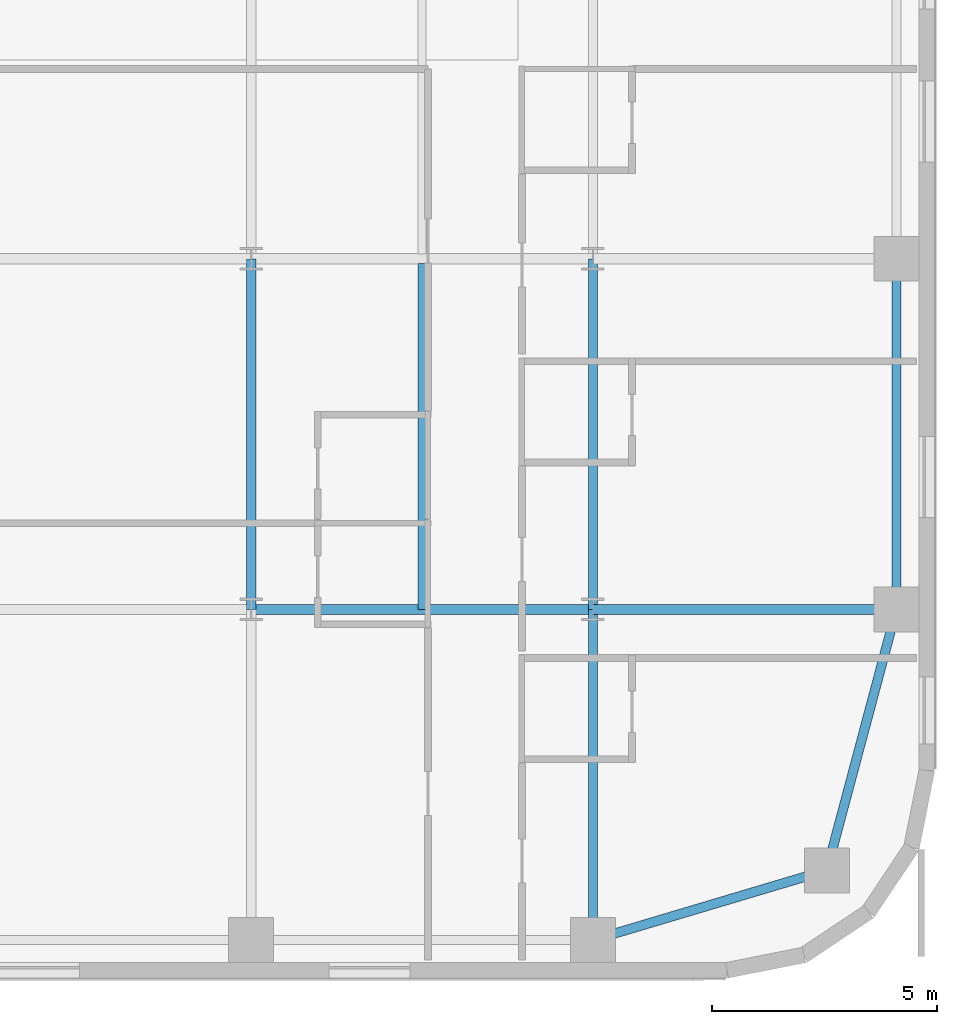
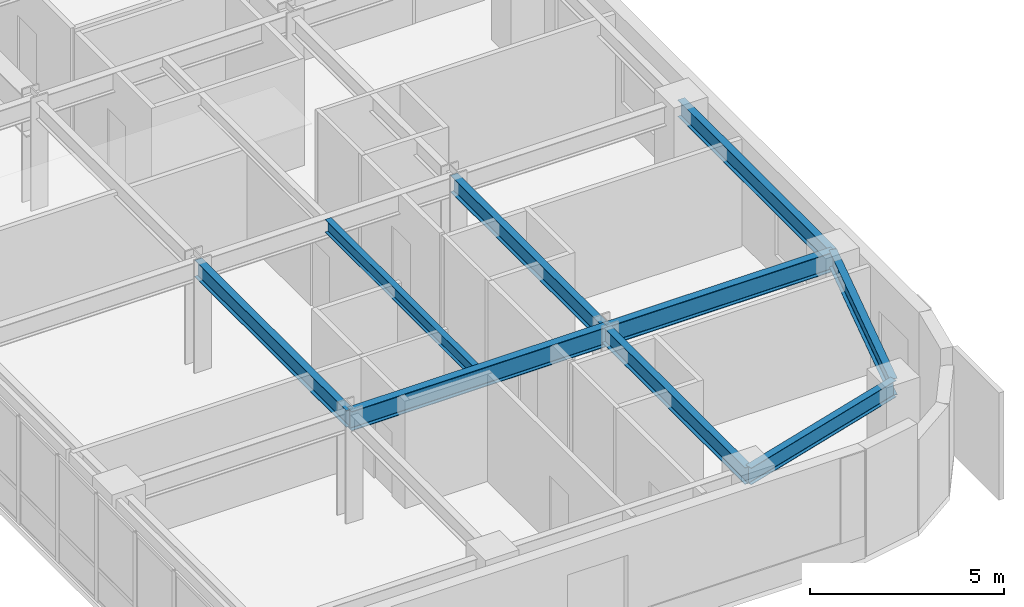
# One storey, part 10 of 25: 9 beams.
"""IFC4 building model written with IfcOpenShell, lengths in metres."""

from ifc_helpers import new_model, si_unit, direction, frame, origin, origin_2d, place, context, subcontext, project, spatial, i_section, extrude, source, transform, mapped, material, material_profile, profile_set, type_object, type_shapes, element, save


model = new_model("IFC4")

# Units and contexts
model_context = context("Model", 3, precision=1e-05, world=origin(), true_north=direction((0.0, 1.0)))
body_context = subcontext(model_context, "Body", "Model", "MODEL_VIEW")
ifc_project = project(units=[si_unit("LENGTHUNIT", "METRE"), si_unit("AREAUNIT", "SQUARE_METRE"), si_unit("VOLUMEUNIT", "CUBIC_METRE"), si_unit("PLANEANGLEUNIT", "RADIAN"), si_unit("MASSUNIT", "GRAM", prefix="KILO")], contexts=[model_context])

# Site, building, storey
site_placement = place(None, origin())
site = spatial("IfcSite", under=ifc_project, at=site_placement, CompositionType="ELEMENT")
building_placement = place(site_placement, origin())
building = spatial("IfcBuilding", under=site, at=building_placement, Name="Tolvann Quenvar Hotel", CompositionType="ELEMENT")
storey_placement = place(building_placement, frame((0.0, 0.0, 60.39990234375)))
storey = spatial("IfcBuildingStorey", under=building, at=storey_placement, Name="L14", CompositionType="ELEMENT", Elevation=60.39990234375)

# Beams
ifc_material = material(Name="Steel Grade 350", Category="steel")
ifc_material_profile_1 = material_profile(ifc_material, i_section(OverallWidth=0.208984375, OverallDepth=0.528076171875, WebThickness=0.009521484375, FlangeThickness=0.01318359375, FilletRadius=0.013916015625, at=origin_2d()), Name="530UB82")
ifc_profile_set_1 = profile_set([ifc_material_profile_1], Name="Steel Grade 350")
beam_type_1 = type_object("IfcBeamType", Name="BM_SPAND_530UB82", PredefinedType="SPANDREL", material=ifc_profile_set_1)
shared_shape_1 = source(origin(), body_context, "Body", "SweptSolid", [
    extrude(i_section(OverallWidth=0.208984375, OverallDepth=0.528076171875, WebThickness=0.009521484375, FlangeThickness=0.01318359375, FilletRadius=0.013916015625, at=origin_2d()), origin(), (0.0, 0.0, 1.0), 5.42626953125),
])
beam_1_placement = place(storey_placement, frame((49.39990234375, 0.85009765625, 3.106201171875), z_axis=(0.958344815522, 0.285613750654, 0.0), x_axis=(-0.285613750654, 0.958344815522, 0.0)))
element("IfcBeam", 1, at=beam_1_placement, inside=storey, type_object=beam_type_1, Name="BM-L14-EW-2-I2-J2", PredefinedType="SPANDREL", context=body_context, shape_type="MappedRepresentation", body=[
    mapped(shared_shape_1, transform((0.0, 0.0, 0.0), x_axis=(1.0, 0.0, 0.0), y_axis=(0.0, 1.0, 0.0), z_axis=(0.0, 0.0, 1.0), scale=1.0)),
])
ifc_material_profile_2 = material_profile(ifc_material, i_section(OverallWidth=0.22900390625, OverallDepth=0.612060546875, WebThickness=0.011962890625, FlangeThickness=0.01953125, FilletRadius=0.013916015625, at=origin_2d()), Name="610UB125")
ifc_profile_set_2 = profile_set([ifc_material_profile_2], Name="Steel Grade 350")
beam_type_2 = type_object("IfcBeamType", Name="BM_GIRD_610UB125", PredefinedType="BEAM", material=ifc_profile_set_2)
shared_shape_2 = source(origin(), body_context, "Body", "SweptSolid", [
    extrude(i_section(OverallWidth=0.22900390625, OverallDepth=0.612060546875, WebThickness=0.011962890625, FlangeThickness=0.01953125, FilletRadius=0.013916015625, at=origin_2d()), origin(), (0.0, 0.0, 1.0), 6.75),
])
beam_2_placement = place(storey_placement, frame((49.39990234375, 8.199951171875, 3.064208984375), z_axis=(1.0, 0.0, 0.0), x_axis=(0.0, 1.0, 0.0)))
element("IfcBeam", 2, at=beam_2_placement, inside=storey, type_object=beam_type_2, Name="BM-L14-EW-3-I3-J3", PredefinedType="BEAM", context=body_context, shape_type="MappedRepresentation", body=[
    mapped(shared_shape_2, transform((0.0, 0.0, 0.0), x_axis=(1.0, 0.0, 0.0), y_axis=(0.0, 1.0, 0.0), z_axis=(0.0, 0.0, 1.0), scale=1.0)),
])
shared_shape_3 = source(origin(), body_context, "Body", "SweptSolid", [
    extrude(i_section(OverallWidth=0.22900390625, OverallDepth=0.612060546875, WebThickness=0.011962890625, FlangeThickness=0.01953125, FilletRadius=0.013916015625, at=origin_2d()), origin(), (0.0, 0.0, 1.0), 7.599853515625),
])
type_shapes(beam_type_2, [shared_shape_2, shared_shape_3])
beam_3_placement = place(storey_placement, frame((41.800048828125, 8.199951171875, 3.064208984375), z_axis=(1.0, 0.0, 0.0), x_axis=(0.0, 1.0, 0.0)))
element("IfcBeam", 3, at=beam_3_placement, inside=storey, type_object=beam_type_2, Name="BM-L14-EW-3-H3-I3", PredefinedType="BEAM", context=body_context, shape_type="MappedRepresentation", body=[
    mapped(shared_shape_3, transform((0.0, 0.0, 0.0), x_axis=(1.0, 0.0, 0.0), y_axis=(0.0, 1.0, 0.0), z_axis=(0.0, 0.0, 1.0), scale=1.0)),
])
shared_shape_4 = source(origin(), body_context, "Body", "SweptSolid", [
    extrude(i_section(OverallWidth=0.208984375, OverallDepth=0.528076171875, WebThickness=0.009521484375, FlangeThickness=0.01318359375, FilletRadius=0.013916015625, at=origin_2d()), origin(), (0.0, 0.0, 1.0), 6.00341796875),
])
beam_4_placement = place(storey_placement, frame((54.60009765625, 2.39990234375, 3.106201171875), z_axis=(0.258148586649, 0.966105225745, 0.0), x_axis=(-0.966105225745, 0.258148586649, 0.0)))
element("IfcBeam", 4, at=beam_4_placement, inside=storey, type_object=beam_type_1, Name="BM-L14-NS-J2-J3", PredefinedType="SPANDREL", context=body_context, shape_type="MappedRepresentation", body=[
    mapped(shared_shape_4, transform((0.0, 0.0, 0.0), x_axis=(1.0, 0.0, 0.0), y_axis=(0.0, 1.0, 0.0), z_axis=(0.0, 0.0, 1.0), scale=1.0)),
])
shared_shape_5 = source(origin(), body_context, "Body", "SweptSolid", [
    extrude(i_section(OverallWidth=0.208984375, OverallDepth=0.528076171875, WebThickness=0.009521484375, FlangeThickness=0.01318359375, FilletRadius=0.013916015625, at=origin_2d()), origin(), (0.0, 0.0, 1.0), 7.800048828125),
])
type_shapes(beam_type_1, [shared_shape_1, shared_shape_4, shared_shape_5])
beam_5_placement = place(storey_placement, frame((56.14990234375, 8.199951171875, 3.106201171875), z_axis=(0.0, 1.0, 0.0), x_axis=(-1.0, 0.0, 0.0)))
element("IfcBeam", 5, at=beam_5_placement, inside=storey, type_object=beam_type_1, Name="BM-L14-NS-J3-J4", PredefinedType="SPANDREL", context=body_context, shape_type="MappedRepresentation", body=[
    mapped(shared_shape_5, transform((0.0, 0.0, 0.0), x_axis=(1.0, 0.0, 0.0), y_axis=(0.0, 1.0, 0.0), z_axis=(0.0, 0.0, 1.0), scale=1.0)),
])
ifc_material_profile_3 = material_profile(ifc_material, i_section(OverallWidth=0.208984375, OverallDepth=0.532958984375, WebThickness=0.01025390625, FlangeThickness=0.015625, FilletRadius=0.013916015625, at=origin_2d()), Name="530UB92")
ifc_profile_set_3 = profile_set([ifc_material_profile_3], Name="Steel Grade 350")
beam_type_3 = type_object("IfcBeamType", Name="BM_GIRD_530UB92", PredefinedType="BEAM", material=ifc_profile_set_3)
shared_shape_6 = source(origin(), body_context, "Body", "SweptSolid", [
    extrude(i_section(OverallWidth=0.208984375, OverallDepth=0.532958984375, WebThickness=0.01025390625, FlangeThickness=0.015625, FilletRadius=0.013916015625, at=origin_2d()), origin(), (0.0, 0.0, 1.0), 7.349853515625),
])
beam_6_placement = place(storey_placement, frame((49.39990234375, 0.85009765625, 3.103515625), z_axis=(0.0, 1.0, 0.0), x_axis=(-1.0, 0.0, 0.0)))
element("IfcBeam", 6, at=beam_6_placement, inside=storey, type_object=beam_type_3, Name="BM-L14-NS-I2-I3", PredefinedType="BEAM", context=body_context, shape_type="MappedRepresentation", body=[
    mapped(shared_shape_6, transform((0.0, 0.0, 0.0), x_axis=(1.0, 0.0, 0.0), y_axis=(0.0, 1.0, 0.0), z_axis=(0.0, 0.0, 1.0), scale=1.0)),
])
shared_shape_7 = source(origin(), body_context, "Body", "SweptSolid", [
    extrude(i_section(OverallWidth=0.208984375, OverallDepth=0.532958984375, WebThickness=0.01025390625, FlangeThickness=0.015625, FilletRadius=0.013916015625, at=origin_2d()), origin(), (0.0, 0.0, 1.0), 7.800048828125),
])
type_shapes(beam_type_3, [shared_shape_6, shared_shape_7])
for number, where, z_axis, x_axis, name in (
    (7, (41.800048828125, 8.199951171875, 3.103515625), (0.0, 1.0, 0.0), (-1.0, 0.0, 0.0), "BM-L14-NS-H3-H4"),
    (8, (49.39990234375, 8.199951171875, 3.103515625), (0.0, 1.0, 0.0), (-1.0, 0.0, 0.0), "BM-L14-NS-I3-I4"),
):
    element("IfcBeam", number, at=place(storey_placement, frame(where, z_axis=z_axis, x_axis=x_axis)), inside=storey, type_object=beam_type_3, Name=name, PredefinedType="BEAM", context=body_context, shape_type="MappedRepresentation", body=[
        mapped(shared_shape_7, transform((0.0, 0.0, 0.0), x_axis=(1.0, 0.0, 0.0), y_axis=(0.0, 1.0, 0.0), z_axis=(0.0, 0.0, 1.0), scale=1.0)),
    ])
ifc_material_profile_4 = material_profile(ifc_material, i_section(OverallWidth=0.177978515625, OverallDepth=0.406005859375, WebThickness=0.0078125, FlangeThickness=0.0126953125, FilletRadius=0.011474609375, at=origin_2d()), Name="410UB60")
ifc_profile_set_4 = profile_set([ifc_material_profile_4], Name="Steel Grade 350")
beam_type_4 = type_object("IfcBeamType", Name="BM_JOIST_410UB60", PredefinedType="JOIST", material=ifc_profile_set_4)
shared_shape_8 = source(origin(), body_context, "Body", "SweptSolid", [
    extrude(i_section(OverallWidth=0.177978515625, OverallDepth=0.406005859375, WebThickness=0.0078125, FlangeThickness=0.0126953125, FilletRadius=0.011474609375, at=origin_2d()), origin(), (0.0, 0.0, 1.0), 7.691650390625),
])
type_shapes(beam_type_4, [shared_shape_8])
beam_7_placement = place(storey_placement, frame((45.60009765625, 8.199951171875, 3.1669921875), z_axis=(0.0, 1.0, 0.0), x_axis=(-1.0, 0.0, 0.0)))
element("IfcBeam", 9, at=beam_7_placement, inside=storey, type_object=beam_type_4, Name="BJ-L14-456-82", PredefinedType="JOIST", context=body_context, shape_type="MappedRepresentation", body=[
    mapped(shared_shape_8, transform((0.0, 0.0, 0.0), x_axis=(1.0, 0.0, 0.0), y_axis=(0.0, 1.0, 0.0), z_axis=(0.0, 0.0, 1.0), scale=1.0)),
])

save(model, "model.ifc")
